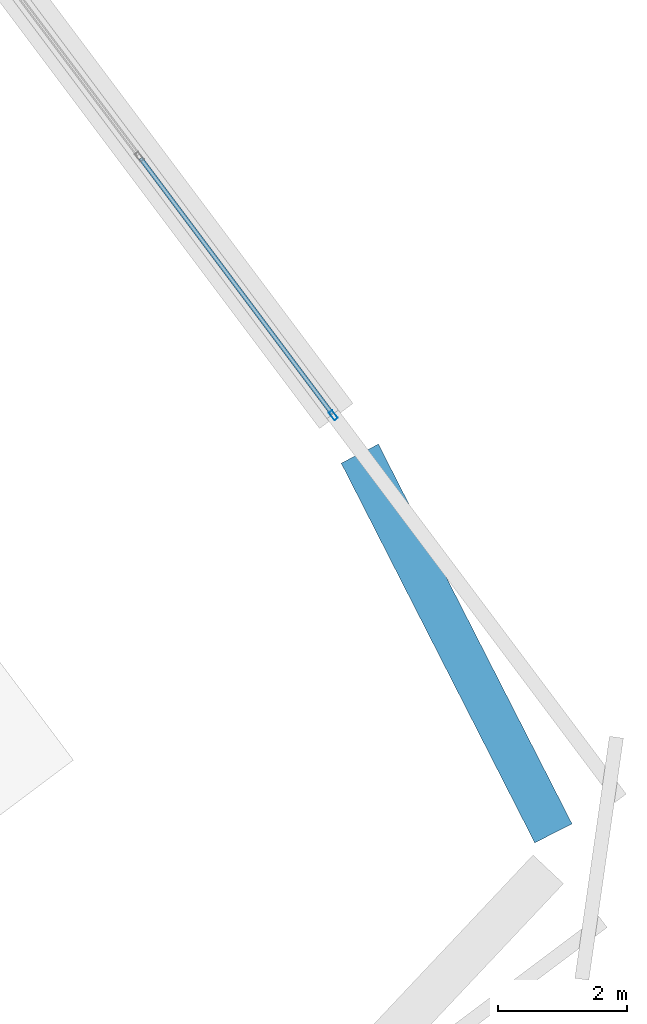
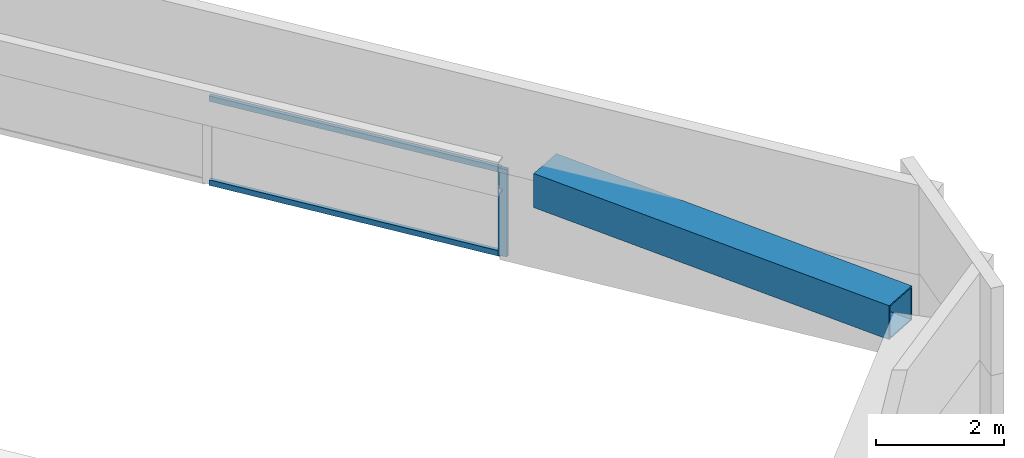
# One storey, part 21 of 31: 3 members, 1 beam, 1 element without a shape of its own.
"""IFC4 building model written with IfcOpenShell, lengths in metres."""

from ifc_helpers import new_model, si_unit, direction, frame, origin, origin_2d, place, context, subcontext, project, spatial, hollow_rectangle, extrude, material, material_profile, profile_set, type_object, element, aggregate, save


model = new_model("IFC4")

# Units and contexts
model_context = context("Model", 3, precision=1e-05, world=origin(), true_north=direction((0.0, 1.0)))
body_context = subcontext(model_context, "Body", "Model", "MODEL_VIEW")
ifc_project = project(units=[si_unit("LENGTHUNIT", "METRE"), si_unit("AREAUNIT", "SQUARE_METRE"), si_unit("VOLUMEUNIT", "CUBIC_METRE"), si_unit("PLANEANGLEUNIT", "RADIAN"), si_unit("MASSUNIT", "GRAM", prefix="KILO")], contexts=[model_context])

# Site, building, storey
site_placement = place(None, origin())
site = spatial("IfcSite", under=ifc_project, at=site_placement, CompositionType="ELEMENT")
building_placement = place(site_placement, origin())
building = spatial("IfcBuilding", under=site, at=building_placement, Name="Tashvorn Skyway Center", CompositionType="ELEMENT")
storey_placement = place(building_placement, frame((0.0, 0.0, 266.949951171875)))
storey = spatial("IfcBuildingStorey", under=building, at=storey_placement, Name="L72", CompositionType="ELEMENT", Elevation=266.949951171875)

# Beam
ifc_material_1 = material(Name="Steel ASTM A572 Grade 50", Category="steel")
ifc_material_profile_1 = material_profile(ifc_material_1, hollow_rectangle(XDim=0.64990234375, YDim=0.64990234375, WallThickness=0.02490234375, at=origin_2d()), Name="BOX650x650x25")
ifc_profile_set_1 = profile_set([ifc_material_profile_1], Name="Steel ASTM A572 Grade 50")
beam_type = type_object("IfcBeamType", Name="BM-BEAM-BOX650x650x25", PredefinedType="BEAM", material=ifc_profile_set_1)
beam_placement = place(storey_placement, frame((131.483154296875, 29.787353515625, 3.08349609375), z_axis=(-0.454297683235, 0.890849939668, 0.0), x_axis=(-0.890849939668, -0.454297683235, 0.0)))
element("IfcBeam", 1, at=beam_placement, inside=storey, type_object=beam_type, Name="CROWN FRAME Tower 2 Upper-Tier Ring Beam 04", PredefinedType="BEAM", context=body_context, shape_type="SweptSolid", body=[
    extrude(hollow_rectangle(XDim=0.64990234375, YDim=0.64990234375, WallThickness=0.02490234375, at=origin_2d()), origin(), (0.0, 0.0, 1.0), 6.61767578125),
])

# Curtain wall, members
ifc_material_2 = material(Name="Thermally broken bronze-anodized aluminium 6063-T6", Category="aluminium")
curtain_wall_type = type_object("IfcCurtainWallType", Name="CW-CW-SKY", PredefinedType="NOTDEFINED", material=ifc_material_2)
curtain_wall_placement = place(storey_placement, origin())
curtain_wall = element("IfcCurtainWall", 2, at=curtain_wall_placement, inside=storey, type_object=curtain_wall_type, Name="CROWN Lantern Fritted Curtain Wall T2 E-4", PredefinedType="NOTDEFINED")
ifc_material_profile_2 = material_profile(ifc_material_2, hollow_rectangle(XDim=0.06494140625, YDim=0.14990234375, WallThickness=0.00390625, at=origin_2d()), Name="ALU-MULL-65x150")
ifc_profile_set_2 = profile_set([ifc_material_profile_2], Name="Thermally broken bronze-anodized aluminium 6063-T6")
member_type_1 = type_object("IfcMemberType", Name="CWM-CW-SKY", PredefinedType="MULLION", material=ifc_profile_set_2)
member_1_placement = place(storey_placement, frame((128.06640625, 36.278076171875, 1.445068359375), z_axis=(0.0, 0.0, 1.0), x_axis=(0.799999999998, 0.600000000002, 0.0)))
member_1 = element("IfcMember", 3, at=member_1_placement, type_object=member_type_1, Name="CW-SKY mullion 3", PredefinedType="MULLION", context=body_context, shape_type="SweptSolid", body=[
    extrude(hollow_rectangle(XDim=0.06494140625, YDim=0.14990234375, WallThickness=0.00390625, at=origin_2d()), origin(), (0.0, 0.0, 1.0), 1.6650390625),
])
ifc_material_profile_3 = material_profile(ifc_material_2, hollow_rectangle(XDim=0.06494140625, YDim=0.10498046875, WallThickness=0.00390625, at=origin_2d()), Name="ALU-TRAN-65x105")
ifc_profile_set_3 = profile_set([ifc_material_profile_3], Name="Thermally broken bronze-anodized aluminium 6063-T6")
member_type_2 = type_object("IfcMemberType", Name="CWT-CW-SKY", PredefinedType="USERDEFINED", material=ifc_profile_set_3)
member_2_placement = place(storey_placement, frame((125.075439453125, 40.26611328125, 1.4775390625), z_axis=(0.600007887028, -0.799994084668, 0.0), x_axis=(0.799994084668, 0.600007887028, 0.0)))
member_2 = element("IfcMember", 4, at=member_2_placement, type_object=member_type_2, Name="CW-SKY transom 2.1", ObjectType="TRANSOM", PredefinedType="USERDEFINED", context=body_context, shape_type="SweptSolid", body=[
    extrude(hollow_rectangle(XDim=0.06494140625, YDim=0.10498046875, WallThickness=0.00390625, at=origin_2d()), origin(), (0.0, 0.0, 1.0), 4.95263671875),
])
member_3_placement = place(storey_placement, frame((125.075439453125, 40.26611328125, 3.07763671875), z_axis=(0.600007887028, -0.799994084668, 0.0), x_axis=(0.799994084668, 0.600007887028, 0.0)))
member_3 = element("IfcMember", 5, at=member_3_placement, type_object=member_type_2, Name="CW-SKY transom 2.2", ObjectType="TRANSOM", PredefinedType="USERDEFINED", context=body_context, shape_type="SweptSolid", body=[
    extrude(hollow_rectangle(XDim=0.06494140625, YDim=0.10498046875, WallThickness=0.00390625, at=origin_2d()), origin(), (0.0, 0.0, 1.0), 4.95263671875),
])
aggregate(curtain_wall, [member_1, member_2, member_3])

save(model, "model.ifc")
